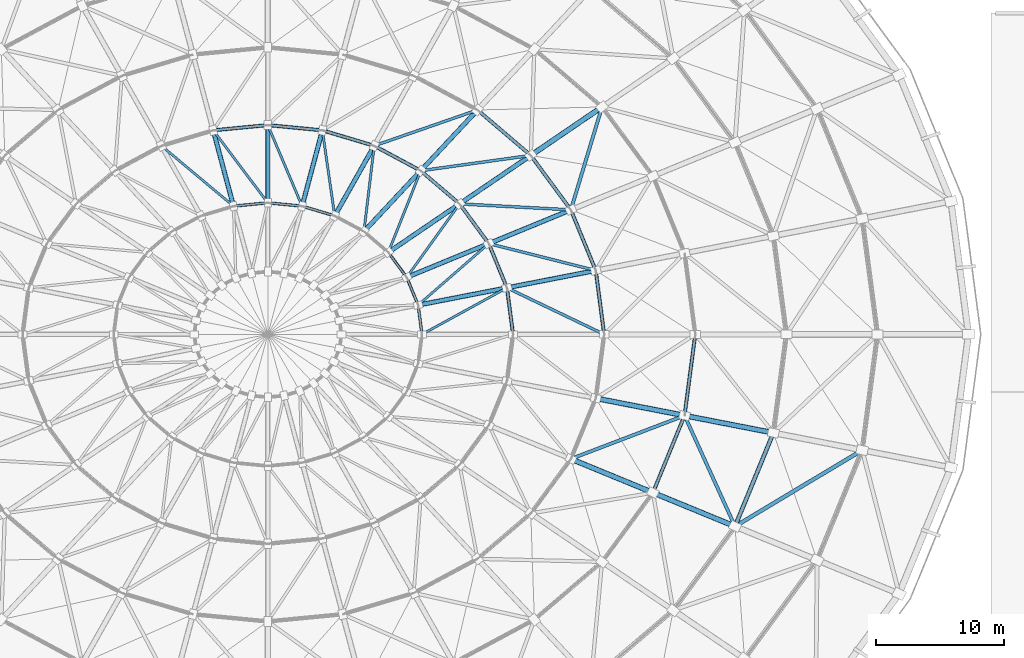
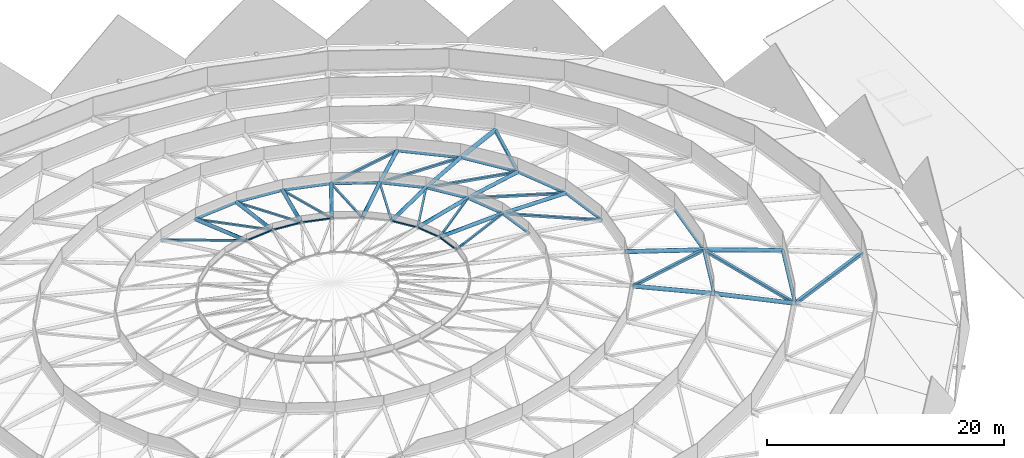
# One storey, part 12 of 27: 56 members.
"""IFC4 building model written with IfcOpenShell, lengths in metres."""

from ifc_helpers import new_model, si_unit, direction, frame, origin, origin_2d, place, context, subcontext, project, spatial, hollow_rectangle, hollow_circle, extrude, material, material_profile, profile_set, type_object, element, save


model = new_model("IFC4")

# Units and contexts
model_context = context("Model", 3, precision=1e-05, world=origin(), true_north=direction((0.0, 1.0)))
body_context = subcontext(model_context, "Body", "Model", "MODEL_VIEW")
ifc_project = project(units=[si_unit("LENGTHUNIT", "METRE"), si_unit("AREAUNIT", "SQUARE_METRE"), si_unit("VOLUMEUNIT", "CUBIC_METRE"), si_unit("PLANEANGLEUNIT", "RADIAN"), si_unit("MASSUNIT", "GRAM", prefix="KILO")], contexts=[model_context])

# Site, building, storey
site_placement = place(None, origin())
site = spatial("IfcSite", under=ifc_project, at=site_placement, CompositionType="ELEMENT")
building_placement = place(site_placement, origin())
building = spatial("IfcBuilding", under=site, at=building_placement, Name="Cuetzalor Civic Arena", CompositionType="ELEMENT")
storey_placement = place(building_placement, frame((0.0, 0.0, 31.800048828125)))
storey = spatial("IfcBuildingStorey", under=building, at=storey_placement, Name="Roof", CompositionType="ELEMENT", Elevation=31.800048828125)

# Members
ifc_material_1 = material(Name="Steel S355J2H", Category="steel")
ifc_material_profile_1 = material_profile(ifc_material_1, hollow_circle(Radius=0.136474609375, WallThickness=0.010009765625, at=origin_2d()), Name="CHS 273x10")
ifc_profile_set_1 = profile_set([ifc_material_profile_1], Name="Steel S355J2H")
member_type_1 = type_object("IfcMemberType", Name="DomeAnnularChord_CHS273", PredefinedType="CHORD", material=ifc_profile_set_1)
member_1_placement = place(storey_placement, frame((29.98095703125, -12.318359375, 5.66650390625), z_axis=(0.379402610444, 0.925231678656, 0.0), x_axis=(-0.925231678656, 0.379402610444, 0.0)))
element("IfcMember", 1, at=member_1_placement, inside=storey, type_object=member_type_1, Name="Dome Roof Truss Annular Ring Chord R3-S27", PredefinedType="CHORD", context=body_context, shape_type="SweptSolid", body=[
    extrude(hollow_circle(Radius=0.136474609375, WallThickness=0.010009765625, at=origin_2d()), origin(), (0.0, 0.0, 1.0), 6.482421875),
])
member_2_placement = place(storey_placement, frame((32.44140625, -6.316650390625, 5.66650390625), z_axis=(0.130895721038, 0.99139614192, 0.0), x_axis=(-0.99139614192, 0.130895721038, 0.0)))
element("IfcMember", 2, at=member_2_placement, inside=storey, type_object=member_type_1, Name="Dome Roof Truss Annular Ring Chord R3-S28", PredefinedType="CHORD", context=body_context, shape_type="SweptSolid", body=[
    extrude(hollow_circle(Radius=0.136474609375, WallThickness=0.010009765625, at=origin_2d()), origin(), (0.0, 0.0, 1.0), 6.369384765625),
])
member_3_placement = place(storey_placement, frame((26.18359375, 0.001953125, 7.077392578125), z_axis=(-0.130861572844, 0.991400649966, 0.0), x_axis=(-0.991400649966, -0.130861572844, 0.0)))
element("IfcMember", 3, at=member_3_placement, inside=storey, type_object=member_type_1, Name="Dome Roof Truss Annular Ring Chord R4-S01", PredefinedType="CHORD", context=body_context, shape_type="SweptSolid", body=[
    extrude(hollow_circle(Radius=0.136474609375, WallThickness=0.010009765625, at=origin_2d()), origin(), (0.0, 0.0, 1.0), 5.01123046875),
])
member_4_placement = place(storey_placement, frame((25.526611328125, 4.973876953125, 7.077392578125), z_axis=(-0.379357788908, 0.925250057009, 0.0), x_axis=(-0.925250057009, -0.379357788908, 0.0)))
element("IfcMember", 4, at=member_4_placement, inside=storey, type_object=member_type_1, Name="Dome Roof Truss Annular Ring Chord R4-S02", PredefinedType="CHORD", context=body_context, shape_type="SweptSolid", body=[
    extrude(hollow_circle(Radius=0.136474609375, WallThickness=0.010009765625, at=origin_2d()), origin(), (0.0, 0.0, 1.0), 5.100341796875),
])
member_5_placement = place(storey_placement, frame((23.58984375, 9.6962890625, 7.077392578125), z_axis=(-0.592932877776, 0.805251887581, 0.0), x_axis=(-0.805251887581, -0.592932877776, 0.0)))
element("IfcMember", 5, at=member_5_placement, inside=storey, type_object=member_type_1, Name="Dome Roof Truss Annular Ring Chord R4-S03", PredefinedType="CHORD", context=body_context, shape_type="SweptSolid", body=[
    extrude(hollow_circle(Radius=0.136474609375, WallThickness=0.010009765625, at=origin_2d()), origin(), (0.0, 0.0, 1.0), 5.25732421875),
])
member_6_placement = place(storey_placement, frame((20.469970703125, 13.9326171875, 7.077392578125), z_axis=(-0.760688120929, 0.649117541495, 0.0), x_axis=(-0.649117541495, -0.760688120929, 0.0)))
element("IfcMember", 6, at=member_6_placement, inside=storey, type_object=member_type_1, Name="Dome Roof Truss Annular Ring Chord R4-S04", PredefinedType="CHORD", context=body_context, shape_type="SweptSolid", body=[
    extrude(hollow_circle(Radius=0.136474609375, WallThickness=0.010009765625, at=origin_2d()), origin(), (0.0, 0.0, 1.0), 5.446533203125),
])
member_7_placement = place(storey_placement, frame((19.09228515625, 0.001953125, 8.21044921875), z_axis=(-0.130933411445, 0.991391164862, 0.0), x_axis=(-0.991391164862, -0.130933411445, 0.0)))
element("IfcMember", 7, at=member_7_placement, inside=storey, type_object=member_type_1, Name="Dome Roof Truss Annular Ring Chord R5-S01", PredefinedType="CHORD", context=body_context, shape_type="SweptSolid", body=[
    extrude(hollow_circle(Radius=0.136474609375, WallThickness=0.010009765625, at=origin_2d()), origin(), (0.0, 0.0, 1.0), 3.65283203125),
])
member_8_placement = place(storey_placement, frame((18.613037109375, 3.627197265625, 8.21044921875), z_axis=(-0.379415117479, 0.925226549894, 0.0), x_axis=(-0.925226549894, -0.379415117479, 0.0)))
element("IfcMember", 8, at=member_8_placement, inside=storey, type_object=member_type_1, Name="Dome Roof Truss Annular Ring Chord R5-S02", PredefinedType="CHORD", context=body_context, shape_type="SweptSolid", body=[
    extrude(hollow_circle(Radius=0.136474609375, WallThickness=0.010009765625, at=origin_2d()), origin(), (0.0, 0.0, 1.0), 3.718017578125),
])
member_9_placement = place(storey_placement, frame((17.200439453125, 7.07080078125, 8.21044921875), z_axis=(-0.592953433432, 0.805236751385, 0.0), x_axis=(-0.805236751385, -0.592953433432, 0.0)))
element("IfcMember", 9, at=member_9_placement, inside=storey, type_object=member_type_1, Name="Dome Roof Truss Annular Ring Chord R5-S03", PredefinedType="CHORD", context=body_context, shape_type="SweptSolid", body=[
    extrude(hollow_circle(Radius=0.136474609375, WallThickness=0.010009765625, at=origin_2d()), origin(), (0.0, 0.0, 1.0), 3.83203125),
])
member_10_placement = place(storey_placement, frame((14.925537109375, 10.159423828125, 8.21044921875), z_axis=(-0.760648184235, 0.649164339609, 0.0), x_axis=(-0.649164339609, -0.760648184235, 0.0)))
element("IfcMember", 10, at=member_10_placement, inside=storey, type_object=member_type_1, Name="Dome Roof Truss Annular Ring Chord R5-S04", PredefinedType="CHORD", context=body_context, shape_type="SweptSolid", body=[
    extrude(hollow_circle(Radius=0.136474609375, WallThickness=0.010009765625, at=origin_2d()), origin(), (0.0, 0.0, 1.0), 3.97021484375),
])
member_11_placement = place(storey_placement, frame((11.902099609375, 12.739013671875, 8.21044921875), z_axis=(-0.881319827537, 0.472520223472, 0.0), x_axis=(-0.472520223472, -0.881319827537, 0.0)))
element("IfcMember", 11, at=member_11_placement, inside=storey, type_object=member_type_1, Name="Dome Roof Truss Annular Ring Chord R5-S05", PredefinedType="CHORD", context=body_context, shape_type="SweptSolid", body=[
    extrude(hollow_circle(Radius=0.136474609375, WallThickness=0.010009765625, at=origin_2d()), origin(), (0.0, 0.0, 1.0), 4.103515625),
])
member_12_placement = place(storey_placement, frame((8.281982421875, 14.6796875, 8.21044921875), z_axis=(-0.958207143597, 0.286075287224, 0.0), x_axis=(-0.286075287224, -0.958207143597, 0.0)))
element("IfcMember", 12, at=member_12_placement, inside=storey, type_object=member_type_1, Name="Dome Roof Truss Annular Ring Chord R5-S06", PredefinedType="CHORD", context=body_context, shape_type="SweptSolid", body=[
    extrude(hollow_circle(Radius=0.136474609375, WallThickness=0.010009765625, at=origin_2d()), origin(), (0.0, 0.0, 1.0), 4.207275390625),
])
for number, where, z_axis, x_axis, name in (
    (13, (4.24658203125, 15.88427734375, 8.21044921875), (-0.995413014388, 0.095670950595, 0.0), (-0.095670950595, -0.995413014388, 0.0), "Dome Roof Truss Annular Ring Chord R5-S07"),
    (14, (-0.001953125, 16.292236328125, 8.21044921875), (-0.995413014388, -0.095670950595, 0.0), (0.095670950595, -0.995413014388, 0.0), "Dome Roof Truss Annular Ring Chord R5-S08"),
):
    element("IfcMember", number, at=place(storey_placement, frame(where, z_axis=z_axis, x_axis=x_axis)), inside=storey, type_object=member_type_1, Name=name, PredefinedType="CHORD", context=body_context, shape_type="SweptSolid", body=[
        extrude(hollow_circle(Radius=0.136474609375, WallThickness=0.010009765625, at=origin_2d()), origin(), (0.0, 0.0, 1.0), 4.26416015625),
    ])
ifc_material_2 = material(Name="Steel S355J2H", Category="steel")
ifc_material_profile_2 = material_profile(ifc_material_2, hollow_circle(Radius=0.161865234375, WallThickness=0.012451171875, at=origin_2d()), Name="CHS 323.9x12.5")
ifc_profile_set_2 = profile_set([ifc_material_profile_2], Name="Steel S355J2H")
member_type_2 = type_object("IfcMemberType", Name="DomeAnnularChord_CHS323", PredefinedType="CHORD", material=ifc_profile_set_2)
member_13_placement = place(storey_placement, frame((36.3701171875, -14.944091796875, 4.004638671875), z_axis=(0.379383309486, 0.925239593016, 0.0), x_axis=(-0.925239593016, 0.379383309486, 0.0)))
element("IfcMember", 15, at=member_13_placement, inside=storey, type_object=member_type_2, Name="Dome Roof Truss Annular Ring Chord R2-S27", PredefinedType="CHORD", context=body_context, shape_type="SweptSolid", body=[
    extrude(hollow_circle(Radius=0.161865234375, WallThickness=0.012451171875, at=origin_2d()), origin(), (0.0, 0.0, 1.0), 7.864990234375),
])
ifc_material_3 = material(Name="Steel S355J2H", Category="steel")
ifc_material_profile_3 = material_profile(ifc_material_3, hollow_rectangle(XDim=0.179931640625, YDim=0.179931640625, WallThickness=0.010009765625, at=origin_2d()), Name="RHS 180x180x10")
ifc_profile_set_3 = profile_set([ifc_material_profile_3], Name="Steel S355J2H")
member_type_3 = type_object("IfcMemberType", Name="DomeLamellaStrut_RHS180", PredefinedType="STRUT", material=ifc_profile_set_3)
member_14_placement = place(storey_placement, frame((18.612060546875, 3.62451171875, 8.21044921875), z_axis=(-0.871842728142, -0.477980561875, 0.106887042505), x_axis=(0.480734608565, -0.876866144932, 0.0)))
element("IfcMember", 16, at=member_14_placement, inside=storey, type_object=member_type_3, Name="Dome Roof Truss Lamella Strut R6-S02", PredefinedType="STRUT", context=body_context, shape_type="SweptSolid", body=[
    extrude(hollow_rectangle(XDim=0.179931640625, YDim=0.179931640625, WallThickness=0.010009765625, at=origin_2d()), origin(), (0.0, 0.0, 1.0), 7.580810546875),
])
member_15_placement = place(storey_placement, frame((17.2001953125, 7.06787109375, 8.21044921875), z_axis=(-0.749548498221, -0.652668306483, 0.110458727715), x_axis=(0.656686761976, -0.7541634416, 0.0)))
element("IfcMember", 17, at=member_15_placement, inside=storey, type_object=member_type_3, Name="Dome Roof Truss Lamella Strut R6-S03", PredefinedType="STRUT", context=body_context, shape_type="SweptSolid", body=[
    extrude(hollow_rectangle(XDim=0.179931640625, YDim=0.179931640625, WallThickness=0.010009765625, at=origin_2d()), origin(), (0.0, 0.0, 1.0), 7.335693359375),
])
member_16_placement = place(storey_placement, frame((14.92578125, 10.156494140625, 8.21044921875), z_axis=(-0.580454438406, -0.806219268068, 0.114381540169), x_axis=(0.811545527014, -0.584289190027, 0.0)))
element("IfcMember", 18, at=member_16_placement, inside=storey, type_object=member_type_3, Name="Dome Roof Truss Lamella Strut R6-S04", PredefinedType="STRUT", context=body_context, shape_type="SweptSolid", body=[
    extrude(hollow_rectangle(XDim=0.179931640625, YDim=0.179931640625, WallThickness=0.010009765625, at=origin_2d()), origin(), (0.0, 0.0, 1.0), 7.084228515625),
])
member_17_placement = place(storey_placement, frame((11.9033203125, 12.736083984375, 8.21044921875), z_axis=(-0.366312993885, -0.923005107933, 0.117797967901), x_axis=(0.929476512168, -0.36888129978, 0.0)))
element("IfcMember", 19, at=member_17_placement, inside=storey, type_object=member_type_3, Name="Dome Roof Truss Lamella Strut R6-S05", PredefinedType="STRUT", context=body_context, shape_type="SweptSolid", body=[
    extrude(hollow_rectangle(XDim=0.179931640625, YDim=0.179931640625, WallThickness=0.010009765625, at=origin_2d()), origin(), (0.0, 0.0, 1.0), 6.878662109375),
])
member_18_placement = place(storey_placement, frame((8.28369140625, 14.677001953125, 8.21044921875), z_axis=(-0.11840979725, -0.985713743463, 0.119781199962), x_axis=(0.992862038049, -0.11926849291, 0.0)))
element("IfcMember", 20, at=member_18_placement, inside=storey, type_object=member_type_3, Name="Dome Roof Truss Lamella Strut R6-S06", PredefinedType="STRUT", context=body_context, shape_type="SweptSolid", body=[
    extrude(hollow_rectangle(XDim=0.179931640625, YDim=0.179931640625, WallThickness=0.010009765625, at=origin_2d()), origin(), (0.0, 0.0, 1.0), 6.764892578125),
])
member_19_placement = place(storey_placement, frame((4.248779296875, 15.882080078125, 8.21044921875), z_axis=(0.141495235587, -0.982677920543, 0.119679583821), x_axis=(0.989791982093, 0.142519585268, 0.0)))
element("IfcMember", 21, at=member_19_placement, inside=storey, type_object=member_type_3, Name="Dome Roof Truss Lamella Strut R6-S07", PredefinedType="STRUT", context=body_context, shape_type="SweptSolid", body=[
    extrude(hollow_rectangle(XDim=0.179931640625, YDim=0.179931640625, WallThickness=0.010009765625, at=origin_2d()), origin(), (0.0, 0.0, 1.0), 6.7705078125),
])
member_20_placement = place(storey_placement, frame((0.000732421875, 16.290771484375, 8.21044921875), z_axis=(0.387133355723, -0.914501626252, 0.117535273294), x_axis=(0.920884545601, 0.3898354187, 0.0)))
element("IfcMember", 22, at=member_20_placement, inside=storey, type_object=member_type_3, Name="Dome Roof Truss Lamella Strut R6-S08", PredefinedType="STRUT", context=body_context, shape_type="SweptSolid", body=[
    extrude(hollow_rectangle(XDim=0.179931640625, YDim=0.179931640625, WallThickness=0.010009765625, at=origin_2d()), origin(), (0.0, 0.0, 1.0), 6.89404296875),
])
member_21_placement = place(storey_placement, frame((-4.247314453125, 15.88232421875, 8.21044921875), z_axis=(0.59755829928, -0.793675064016, 0.114034958332), x_axis=(0.798886409643, 0.601481923658, 0.0)))
element("IfcMember", 23, at=member_21_placement, inside=storey, type_object=member_type_3, Name="Dome Roof Truss Lamella Strut R6-S09", PredefinedType="STRUT", context=body_context, shape_type="SweptSolid", body=[
    extrude(hollow_rectangle(XDim=0.179931640625, YDim=0.179931640625, WallThickness=0.010009765625, at=origin_2d()), origin(), (0.0, 0.0, 1.0), 7.105712890625),
])
member_22_placement = place(storey_placement, frame((-8.282470703125, 14.677734375, 8.21044921875), z_axis=(0.76242241528, -0.637641270638, 0.11011662299), x_axis=(0.64154270133, 0.767087323823, 0.0)))
element("IfcMember", 24, at=member_22_placement, inside=storey, type_object=member_type_3, Name="Dome Roof Truss Lamella Strut R6-S10", PredefinedType="STRUT", context=body_context, shape_type="SweptSolid", body=[
    extrude(hollow_rectangle(XDim=0.179931640625, YDim=0.179931640625, WallThickness=0.010009765625, at=origin_2d()), origin(), (0.0, 0.0, 1.0), 7.358642578125),
])
ifc_material_4 = material(Name="Steel S355J2H", Category="steel")
ifc_material_profile_4 = material_profile(ifc_material_4, hollow_rectangle(XDim=0.219970703125, YDim=0.219970703125, WallThickness=0.010009765625, at=origin_2d()), Name="RHS 220x220x10")
ifc_profile_set_4 = profile_set([ifc_material_profile_4], Name="Steel S355J2H")
member_type_4 = type_object("IfcMemberType", Name="DomeLamellaStrut_RHS220", PredefinedType="STRUT", material=ifc_profile_set_4)
member_23_placement = place(storey_placement, frame((26.18212890625, 0.0009765625, 7.07763671875), z_axis=(-0.893811596304, 0.42803057827, 0.133755950816), x_axis=(-0.431911605773, -0.901915941094, 0.0)))
element("IfcMember", 25, at=member_23_placement, inside=storey, type_object=member_type_4, Name="Dome Roof Truss Lamella Strut R5-S01", PredefinedType="STRUT", context=body_context, shape_type="SweptSolid", body=[
    extrude(hollow_rectangle(XDim=0.219970703125, YDim=0.219970703125, WallThickness=0.010009765625, at=origin_2d()), origin(), (0.0, 0.0, 1.0), 8.465576171875),
])
member_24_placement = place(storey_placement, frame((25.525634765625, 4.972412109375, 7.07763671875), z_axis=(-0.961378794028, 0.24215678486, 0.130808661563), x_axis=(-0.244255518, -0.969710906367, 0.0)))
element("IfcMember", 26, at=member_24_placement, inside=storey, type_object=member_type_4, Name="Dome Roof Truss Lamella Strut R5-S02", PredefinedType="STRUT", context=body_context, shape_type="SweptSolid", body=[
    extrude(hollow_rectangle(XDim=0.219970703125, YDim=0.219970703125, WallThickness=0.010009765625, at=origin_2d()), origin(), (0.0, 0.0, 1.0), 8.65625),
])
member_25_placement = place(storey_placement, frame((23.589111328125, 9.69482421875, 7.07763671875), z_axis=(-0.990166981795, 0.052982349848, 0.129468987668), x_axis=(-0.053432062315, -0.998571487034, 0.0)))
element("IfcMember", 27, at=member_25_placement, inside=storey, type_object=member_type_4, Name="Dome Roof Truss Lamella Strut R5-S03", PredefinedType="STRUT", context=body_context, shape_type="SweptSolid", body=[
    extrude(hollow_rectangle(XDim=0.219970703125, YDim=0.219970703125, WallThickness=0.010009765625, at=origin_2d()), origin(), (0.0, 0.0, 1.0), 8.745849609375),
])
member_26_placement = place(storey_placement, frame((20.469482421875, 13.930908203125, 7.07763671875), z_axis=(-0.98205492051, -0.136769822291, 0.129854336906), x_axis=(0.137937729844, -0.990440903177, 0.0)))
element("IfcMember", 28, at=member_26_placement, inside=storey, type_object=member_type_4, Name="Dome Roof Truss Lamella Strut R5-S04", PredefinedType="STRUT", context=body_context, shape_type="SweptSolid", body=[
    extrude(hollow_rectangle(XDim=0.219970703125, YDim=0.219970703125, WallThickness=0.010009765625, at=origin_2d()), origin(), (0.0, 0.0, 1.0), 8.719970703125),
])
member_27_placement = place(storey_placement, frame((16.323486328125, 17.468505859375, 7.07763671875), z_axis=(-0.936488862562, -0.324935067039, 0.131931089987), x_axis=(0.327800406368, -0.944746999776, 0.0)))
element("IfcMember", 29, at=member_27_placement, inside=storey, type_object=member_type_4, Name="Dome Roof Truss Lamella Strut R5-S05", PredefinedType="STRUT", context=body_context, shape_type="SweptSolid", body=[
    extrude(hollow_rectangle(XDim=0.219970703125, YDim=0.219970703125, WallThickness=0.010009765625, at=origin_2d()), origin(), (0.0, 0.0, 1.0), 8.582763671875),
])
ifc_material_5 = material(Name="Steel S355J2H", Category="steel")
ifc_material_profile_5 = material_profile(ifc_material_5, hollow_rectangle(XDim=0.260009765625, YDim=0.260009765625, WallThickness=0.012451171875, at=origin_2d()), Name="RHS 260x260x12.5")
ifc_profile_set_5 = profile_set([ifc_material_profile_5], Name="Steel S355J2H")
member_type_5 = type_object("IfcMemberType", Name="DomeLamellaStrut_RHS260", PredefinedType="STRUT", material=ifc_profile_set_5)
member_28_placement = place(storey_placement, frame((36.36865234375, -14.944091796875, 4.0048828125), z_axis=(-0.408176364401, 0.896419654298, 0.172695856736), x_axis=(-0.91009363072, -0.414402682572, 0.0)))
element("IfcMember", 30, at=member_28_placement, inside=storey, type_object=member_type_5, Name="Dome Roof Truss Lamella Strut R3-S27", PredefinedType="STRUT", context=body_context, shape_type="SweptSolid", body=[
    extrude(hollow_rectangle(XDim=0.260009765625, YDim=0.260009765625, WallThickness=0.012451171875, at=origin_2d()), origin(), (0.0, 0.0, 1.0), 9.620361328125),
])
member_29_placement = place(storey_placement, frame((26.01513671875, 17.702392578125, 5.666748046875), z_axis=(-0.285707890654, -0.943782930424, 0.166267198983), x_axis=(0.957105129085, -0.289740870225, 0.0)))
element("IfcMember", 31, at=member_29_placement, inside=storey, type_object=member_type_5, Name="Dome Roof Truss Lamella Strut R4-S04", PredefinedType="STRUT", context=body_context, shape_type="SweptSolid", body=[
    extrude(hollow_rectangle(XDim=0.260009765625, YDim=0.260009765625, WallThickness=0.012451171875, at=origin_2d()), origin(), (0.0, 0.0, 1.0), 8.482666015625),
])
member_30_placement = place(storey_placement, frame((32.439453125, -6.3193359375, 5.666748046875), z_axis=(-0.924130166504, -0.352529288321, 0.147331382379), x_axis=(0.356418820205, -0.934326294505, 0.0)))
element("IfcMember", 32, at=member_30_placement, inside=storey, type_object=member_type_5, Name="Dome Roof Truss Lamella Strut R4-S28", PredefinedType="STRUT", context=body_context, shape_type="SweptSolid", body=[
    extrude(hollow_rectangle(XDim=0.260009765625, YDim=0.260009765625, WallThickness=0.012451171875, at=origin_2d()), origin(), (0.0, 0.0, 1.0), 9.572998046875),
])
ifc_material_6 = material(Name="Steel S355J2H", Category="steel")
ifc_material_profile_6 = material_profile(ifc_material_6, hollow_rectangle(XDim=0.300048828125, YDim=0.300048828125, WallThickness=0.013916015625, at=origin_2d()), Name="RHS 300x300x14")
ifc_profile_set_6 = profile_set([ifc_material_profile_6], Name="Steel S355J2H")
member_type_6 = type_object("IfcMemberType", Name="DomeLamellaStrut_RHS300", PredefinedType="STRUT", material=ifc_profile_set_6)
member_31_placement = place(storey_placement, frame((46.266845703125, -9.0126953125, 2.111328125), z_axis=(-0.846370119879, -0.507387746847, 0.161911378618), x_axis=(0.51417209195, -0.857687040743, 0.0)))
element("IfcMember", 33, at=member_31_placement, inside=storey, type_object=member_type_6, Name="Dome Roof Truss Lamella Strut R2-S28", PredefinedType="STRUT", context=body_context, shape_type="SweptSolid", body=[
    extrude(hollow_rectangle(XDim=0.300048828125, YDim=0.300048828125, WallThickness=0.013916015625, at=origin_2d()), origin(), (0.0, 0.0, 1.0), 11.69189453125),
])
ifc_material_7 = material(Name="Steel S355J2H", Category="steel")
ifc_material_profile_7 = material_profile(ifc_material_7, hollow_circle(Radius=0.109619140625, WallThickness=0.010009765625, at=origin_2d()), Name="CHS 219.1x10")
ifc_profile_set_7 = profile_set([ifc_material_profile_7], Name="Steel S355J2H")
member_type_7 = type_object("IfcMemberType", Name="DomeLanternRing_CHS219", PredefinedType="CHORD", material=ifc_profile_set_7)
member_32_placement = place(storey_placement, frame((12.000732421875, 0.001953125, 9.020751953125), z_axis=(-0.130867338838, 0.991399888857, 0.0), x_axis=(-0.991399888857, -0.130867338838, 0.0)))
element("IfcMember", 34, at=member_32_placement, inside=storey, type_object=member_type_7, Name="Dome Roof Truss Annular Ring Chord R6-S01", PredefinedType="CHORD", context=body_context, shape_type="SweptSolid", body=[
    extrude(hollow_circle(Radius=0.109619140625, WallThickness=0.010009765625, at=origin_2d()), origin(), (0.0, 0.0, 1.0), 2.294677734375),
])
member_33_placement = place(storey_placement, frame((11.69921875, 2.28076171875, 9.020751953125), z_axis=(-0.379398031212, 0.925233556413, 0.0), x_axis=(-0.925233556413, -0.379398031212, 0.0)))
element("IfcMember", 35, at=member_33_placement, inside=storey, type_object=member_type_7, Name="Dome Roof Truss Annular Ring Chord R6-S02", PredefinedType="CHORD", context=body_context, shape_type="SweptSolid", body=[
    extrude(hollow_circle(Radius=0.109619140625, WallThickness=0.010009765625, at=origin_2d()), origin(), (0.0, 0.0, 1.0), 2.335205078125),
])
member_34_placement = place(storey_placement, frame((10.811279296875, 4.445068359375, 9.020751953125), z_axis=(-0.592901474518, 0.805275009866, 0.0), x_axis=(-0.805275009866, -0.592901474518, 0.0)))
element("IfcMember", 36, at=member_34_placement, inside=storey, type_object=member_type_7, Name="Dome Roof Truss Annular Ring Chord R6-S03", PredefinedType="CHORD", context=body_context, shape_type="SweptSolid", body=[
    extrude(hollow_circle(Radius=0.109619140625, WallThickness=0.010009765625, at=origin_2d()), origin(), (0.0, 0.0, 1.0), 2.4072265625),
])
member_35_placement = place(storey_placement, frame((5.205078125, 9.227294921875, 9.020751953125), z_axis=(-0.958186512541, 0.286144381709, 0.0), x_axis=(-0.286144381709, -0.958186512541, 0.0)))
element("IfcMember", 37, at=member_35_placement, inside=storey, type_object=member_type_7, Name="Dome Roof Truss Annular Ring Chord R6-S06", PredefinedType="CHORD", context=body_context, shape_type="SweptSolid", body=[
    extrude(hollow_circle(Radius=0.109619140625, WallThickness=0.010009765625, at=origin_2d()), origin(), (0.0, 0.0, 1.0), 2.643310546875),
])
for number, where, z_axis, x_axis, name in (
    (38, (2.66845703125, 9.984375, 9.020751953125), (-0.995410698757, 0.095695040624, 0.0), (-0.095695040624, -0.995410698757, 0.0), "Dome Roof Truss Annular Ring Chord R6-S07"),
    (39, (-0.001953125, 10.24072265625, 9.020751953125), (-0.995410698757, -0.095695040624, 0.0), (0.095695040624, -0.995410698757, 0.0), "Dome Roof Truss Annular Ring Chord R6-S08"),
):
    element("IfcMember", number, at=place(storey_placement, frame(where, z_axis=z_axis, x_axis=x_axis)), inside=storey, type_object=member_type_7, Name=name, PredefinedType="CHORD", context=body_context, shape_type="SweptSolid", body=[
        extrude(hollow_circle(Radius=0.109619140625, WallThickness=0.010009765625, at=origin_2d()), origin(), (0.0, 0.0, 1.0), 2.6787109375),
    ])
ifc_material_8 = material(Name="Steel S355J2H", Category="steel")
ifc_material_profile_8 = material_profile(ifc_material_8, hollow_circle(Radius=0.177734375, WallThickness=0.01416015625, at=origin_2d()), Name="CHS 355.6x14.2")
ifc_profile_set_8 = profile_set([ifc_material_profile_8], Name="Steel S355J2H")
member_type_8 = type_object("IfcMemberType", Name="DomeRadialChord_CHS355", PredefinedType="CHORD", material=ifc_profile_set_8)
member_36_placement = place(storey_placement, frame((25.525634765625, 4.9716796875, 7.07763671875), z_axis=(-0.969096700352, -0.188765505743, 0.158805444519), x_axis=(0.191191748916, -0.98155270625, 0.0)))
element("IfcMember", 40, at=member_36_placement, inside=storey, type_object=member_type_8, Name="Dome Roof Truss Radial Chord R5-S02", PredefinedType="CHORD", context=body_context, shape_type="SweptSolid", body=[
    extrude(hollow_circle(Radius=0.177734375, WallThickness=0.01416015625, at=origin_2d()), origin(), (0.0, 0.0, 1.0), 7.13037109375),
])
member_37_placement = place(storey_placement, frame((23.589111328125, 9.69384765625, 7.07763671875), z_axis=(-0.912752107468, -0.375081615411, 0.161856022727), x_axis=(0.380093380884, -0.924948118442, 0.0)))
element("IfcMember", 41, at=member_37_placement, inside=storey, type_object=member_type_8, Name="Dome Roof Truss Radial Chord R5-S03", PredefinedType="CHORD", context=body_context, shape_type="SweptSolid", body=[
    extrude(hollow_circle(Radius=0.177734375, WallThickness=0.01416015625, at=origin_2d()), origin(), (0.0, 0.0, 1.0), 6.995849609375),
])
member_38_placement = place(storey_placement, frame((20.469970703125, 13.93017578125, 7.07763671875), z_axis=(-0.815172115718, -0.554749460254, 0.166575682808), x_axis=(0.562609867277, -0.826722527359, 0.0)))
element("IfcMember", 42, at=member_38_placement, inside=storey, type_object=member_type_8, Name="Dome Roof Truss Radial Chord R5-S04", PredefinedType="CHORD", context=body_context, shape_type="SweptSolid", body=[
    extrude(hollow_circle(Radius=0.177734375, WallThickness=0.01416015625, at=origin_2d()), origin(), (0.0, 0.0, 1.0), 6.797607421875),
])
member_39_placement = place(storey_placement, frame((16.32421875, 17.4677734375, 7.07763671875), z_axis=(-0.672587505085, -0.719668630441, 0.172345903237), x_axis=(0.730600984463, -0.682804658377, 0.0)))
element("IfcMember", 43, at=member_39_placement, inside=storey, type_object=member_type_8, Name="Dome Roof Truss Radial Chord R5-S05", PredefinedType="CHORD", context=body_context, shape_type="SweptSolid", body=[
    extrude(hollow_circle(Radius=0.177734375, WallThickness=0.01416015625, at=origin_2d()), origin(), (0.0, 0.0, 1.0), 6.570068359375),
])
member_40_placement = place(storey_placement, frame((18.61181640625, 3.625, 8.21044921875), z_axis=(-0.975119096568, -0.189910835287, 0.114353059201), x_axis=(0.191164843539, -0.981557946631, 0.0)))
element("IfcMember", 44, at=member_40_placement, inside=storey, type_object=member_type_8, Name="Dome Roof Truss Radial Chord R6-S02", PredefinedType="CHORD", context=body_context, shape_type="SweptSolid", body=[
    extrude(hollow_circle(Radius=0.177734375, WallThickness=0.01416015625, at=origin_2d()), origin(), (0.0, 0.0, 1.0), 7.0859375),
])
member_41_placement = place(storey_placement, frame((17.199951171875, 7.068359375, 8.21044921875), z_axis=(-0.918635217618, -0.377519878964, 0.116567911274), x_axis=(0.380111202168, -0.924940794855, 0.0)))
element("IfcMember", 45, at=member_41_placement, inside=storey, type_object=member_type_8, Name="Dome Roof Truss Radial Chord R6-S03", PredefinedType="CHORD", context=body_context, shape_type="SweptSolid", body=[
    extrude(hollow_circle(Radius=0.177734375, WallThickness=0.01416015625, at=origin_2d()), origin(), (0.0, 0.0, 1.0), 6.951416015625),
])
member_42_placement = place(storey_placement, frame((14.925537109375, 10.156982421875, 8.21044921875), z_axis=(-0.820751474206, -0.558534830768, 0.120024415883), x_axis=(0.562601913678, -0.826727939969, 0.0)))
element("IfcMember", 46, at=member_42_placement, inside=storey, type_object=member_type_8, Name="Dome Roof Truss Radial Chord R6-S04", PredefinedType="CHORD", context=body_context, shape_type="SweptSolid", body=[
    extrude(hollow_circle(Radius=0.177734375, WallThickness=0.01416015625, at=origin_2d()), origin(), (0.0, 0.0, 1.0), 6.751220703125),
])
member_43_placement = place(storey_placement, frame((11.902587890625, 12.736572265625, 8.21044921875), z_axis=(-0.677476129415, -0.724976942069, 0.124235773995), x_axis=(0.730637390049, -0.682765702318, 0.0)))
element("IfcMember", 47, at=member_43_placement, inside=storey, type_object=member_type_8, Name="Dome Roof Truss Radial Chord R6-S05", PredefinedType="CHORD", context=body_context, shape_type="SweptSolid", body=[
    extrude(hollow_circle(Radius=0.177734375, WallThickness=0.01416015625, at=origin_2d()), origin(), (0.0, 0.0, 1.0), 6.522216796875),
])
member_44_placement = place(storey_placement, frame((8.282958984375, 14.67724609375, 8.210693359375), z_axis=(-0.487413827031, -0.863684143841, 0.128364562466), x_axis=(0.870888965852, -0.491479815615, 0.0)))
element("IfcMember", 48, at=member_44_placement, inside=storey, type_object=member_type_8, Name="Dome Roof Truss Radial Chord R6-S06", PredefinedType="CHORD", context=body_context, shape_type="SweptSolid", body=[
    extrude(hollow_circle(Radius=0.177734375, WallThickness=0.01416015625, at=origin_2d()), origin(), (0.0, 0.0, 1.0), 6.30859375),
])
member_45_placement = place(storey_placement, frame((4.248046875, 15.882080078125, 8.210693359375), z_axis=(-0.256164404752, -0.957642472873, 0.131532094514), x_axis=(0.966035473474, -0.258409488971, 0.0)))
element("IfcMember", 49, at=member_45_placement, inside=storey, type_object=member_type_8, Name="Dome Roof Truss Radial Chord R6-S07", PredefinedType="CHORD", context=body_context, shape_type="SweptSolid", body=[
    extrude(hollow_circle(Radius=0.177734375, WallThickness=0.01416015625, at=origin_2d()), origin(), (0.0, 0.0, 1.0), 6.15673828125),
])
member_46_placement = place(storey_placement, frame((0.0, 16.29052734375, 8.210693359375), z_axis=(0.0, -0.99115330947, 0.132721954201), x_axis=(1.0, 0.0, 0.0)))
element("IfcMember", 50, at=member_46_placement, inside=storey, type_object=member_type_8, Name="Dome Roof Truss Radial Chord R6-S08", PredefinedType="CHORD", context=body_context, shape_type="SweptSolid", body=[
    extrude(hollow_circle(Radius=0.177734375, WallThickness=0.01416015625, at=origin_2d()), origin(), (0.0, 0.0, 1.0), 6.1015625),
])
member_47_placement = place(storey_placement, frame((-4.248046875, 15.882080078125, 8.210693359375), z_axis=(0.256164404752, -0.957642472873, 0.131532094514), x_axis=(0.966035473474, 0.258409488971, 0.0)))
element("IfcMember", 51, at=member_47_placement, inside=storey, type_object=member_type_8, Name="Dome Roof Truss Radial Chord R6-S09", PredefinedType="CHORD", context=body_context, shape_type="SweptSolid", body=[
    extrude(hollow_circle(Radius=0.177734375, WallThickness=0.01416015625, at=origin_2d()), origin(), (0.0, 0.0, 1.0), 6.15673828125),
])
ifc_material_9 = material(Name="Steel S355J2H", Category="steel")
ifc_material_profile_9 = material_profile(ifc_material_9, hollow_circle(Radius=0.202880859375, WallThickness=0.01611328125, at=origin_2d()), Name="CHS 406x16")
ifc_profile_set_9 = profile_set([ifc_material_profile_9], Name="Steel S355J2H")
member_type_9 = type_object("IfcMemberType", Name="DomeRadialChord_CHS406", PredefinedType="CHORD", material=ifc_profile_set_9)
member_48_placement = place(storey_placement, frame((36.36767578125, -14.9453125, 4.005126953125), z_axis=(-0.899284049236, 0.369567374416, 0.233897743805), x_axis=(-0.380111202168, -0.924940794855, 0.0)))
element("IfcMember", 52, at=member_48_placement, inside=storey, type_object=member_type_9, Name="Dome Roof Truss Radial Chord R3-S27", PredefinedType="CHORD", context=body_context, shape_type="SweptSolid", body=[
    extrude(hollow_circle(Radius=0.202880859375, WallThickness=0.01611328125, at=origin_2d()), origin(), (0.0, 0.0, 1.0), 7.100830078125),
])
member_49_placement = place(storey_placement, frame((39.35302734375, -7.664794921875, 4.005126953125), z_axis=(-0.955330824521, 0.186050365854, 0.229626385868), x_axis=(-0.191158336127, -0.98155921397, 0.0)))
element("IfcMember", 53, at=member_49_placement, inside=storey, type_object=member_type_9, Name="Dome Roof Truss Radial Chord R3-S28", PredefinedType="CHORD", context=body_context, shape_type="SweptSolid", body=[
    extrude(hollow_circle(Radius=0.202880859375, WallThickness=0.01611328125, at=origin_2d()), origin(), (0.0, 0.0, 1.0), 7.23291015625),
])
member_50_placement = place(storey_placement, frame((26.01416015625, 17.703125, 5.666748046875), z_axis=(-0.809015458143, -0.550548279477, 0.205889728861), x_axis=(0.562601913678, -0.826727939969, 0.0)))
element("IfcMember", 54, at=member_50_placement, inside=storey, type_object=member_type_9, Name="Dome Roof Truss Radial Chord R4-S04", PredefinedType="CHORD", context=body_context, shape_type="SweptSolid", body=[
    extrude(hollow_circle(Radius=0.202880859375, WallThickness=0.01611328125, at=origin_2d()), origin(), (0.0, 0.0, 1.0), 6.84912109375),
])
member_51_placement = place(storey_placement, frame((29.978515625, -12.319580078125, 5.666748046875), z_axis=(-0.906230193855, 0.372421943483, 0.200121792312), x_axis=(-0.380111202168, -0.924940794855, 0.0)))
element("IfcMember", 55, at=member_51_placement, inside=storey, type_object=member_type_9, Name="Dome Roof Truss Radial Chord R4-S27", PredefinedType="CHORD", context=body_context, shape_type="SweptSolid", body=[
    extrude(hollow_circle(Radius=0.202880859375, WallThickness=0.01611328125, at=origin_2d()), origin(), (0.0, 0.0, 1.0), 7.04638671875),
])
member_52_placement = place(storey_placement, frame((32.439208984375, -6.318115234375, 5.666748046875), z_axis=(-0.96243984419, 0.187434845111, 0.196412130871), x_axis=(-0.191158336127, -0.98155921397, 0.0)))
element("IfcMember", 56, at=member_52_placement, inside=storey, type_object=member_type_9, Name="Dome Roof Truss Radial Chord R4-S28", PredefinedType="CHORD", context=body_context, shape_type="SweptSolid", body=[
    extrude(hollow_circle(Radius=0.202880859375, WallThickness=0.01611328125, at=origin_2d()), origin(), (0.0, 0.0, 1.0), 7.1796875),
])

save(model, "model.ifc")
